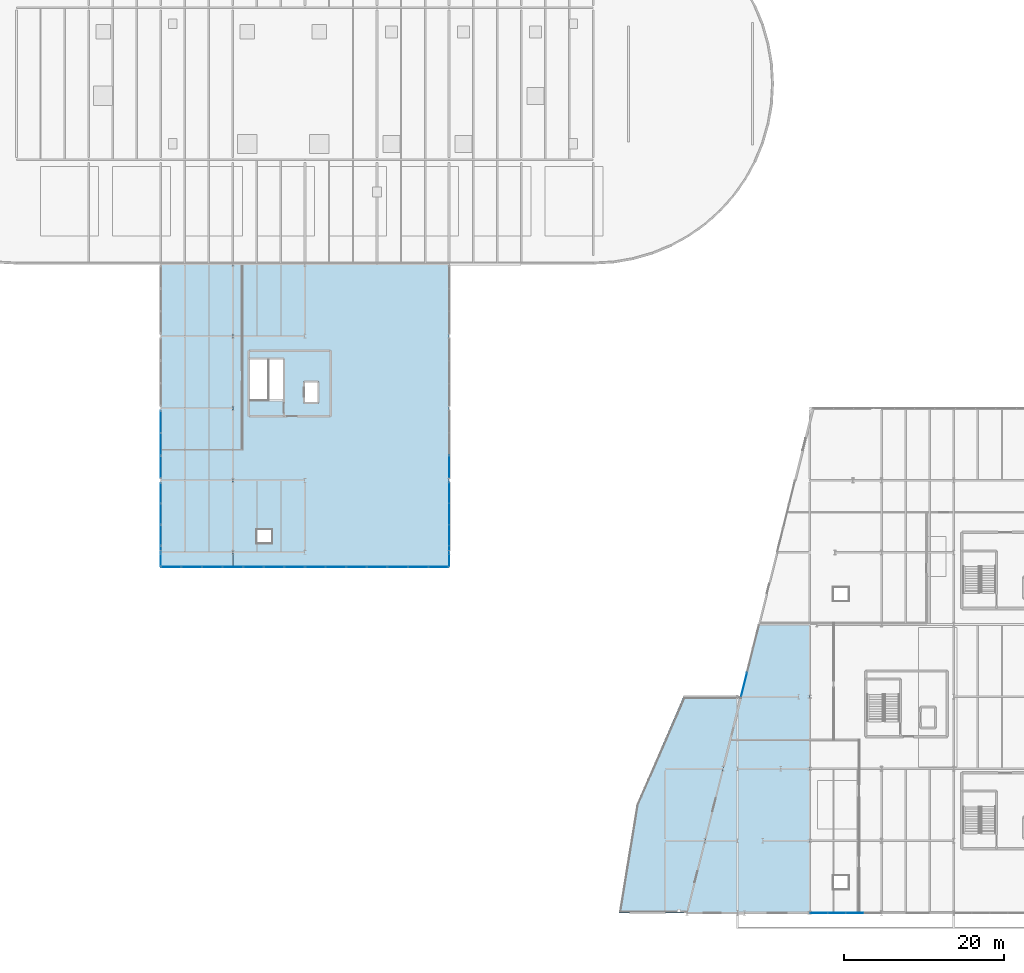
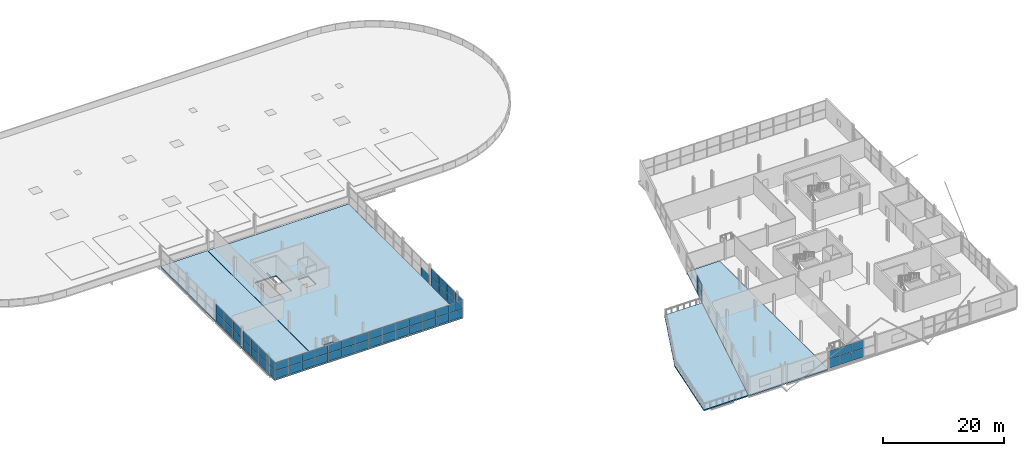
# One storey, part 48 of 59: 59 plates, 4 slabs, 8 elements without a shape of their own.
"""IFC4 building model written with IfcOpenShell, lengths in metres."""

from ifc_helpers import new_model, si_unit, direction, frame, origin, origin_2d, place, context, subcontext, project, spatial, polyline, rectangle, outline, extrude, material, layer, layer_set, type_object, element, aggregate, save


model = new_model("IFC4")

# Units and contexts
model_context = context("Model", 3, precision=1e-05, world=origin(), true_north=direction((0.0, 1.0)))
body_context = subcontext(model_context, "Body", "Model", "MODEL_VIEW")
ifc_project = project(units=[si_unit("LENGTHUNIT", "METRE"), si_unit("AREAUNIT", "SQUARE_METRE"), si_unit("VOLUMEUNIT", "CUBIC_METRE"), si_unit("PLANEANGLEUNIT", "RADIAN"), si_unit("MASSUNIT", "GRAM", prefix="KILO")], contexts=[model_context])

# Site, building, storey
site_placement = place(None, origin())
site = spatial("IfcSite", under=ifc_project, at=site_placement, CompositionType="ELEMENT")
building_placement = place(site_placement, origin())
building = spatial("IfcBuilding", under=site, at=building_placement, Name="Deido Ridge Mobility Hub", CompositionType="ELEMENT")
storey_placement = place(building_placement, frame((0.0, 0.0, 21.0)))
storey = spatial("IfcBuildingStorey", under=building, at=storey_placement, Name="L05", CompositionType="ELEMENT", Elevation=21.0)

# Curtain wall, plates
ifc_material_1 = material(Name="Anodised aluminium EN AW-6063 T6", Category="aluminium")
ifc_layer_1 = layer(ifc_material_1, 0.16796875, Name="Anodised aluminium EN AW-6063 T6")
ifc_layer_set_1 = layer_set([ifc_layer_1], Name="Anodised aluminium EN AW-6063 T6")
curtain_wall_type_1 = type_object("IfcCurtainWallType", Name="CW-GS-4", PredefinedType="USERDEFINED", material=ifc_layer_set_1)
curtain_wall_1_placement = place(storey_placement, origin())
curtain_wall_1 = element("IfcCurtainWall", 1, at=curtain_wall_1_placement, inside=storey, type_object=curtain_wall_type_1, Name="Unitised curtain wall GS4", ObjectType="GLAZED SCREEN", PredefinedType="USERDEFINED")
ifc_material_2 = material(Name="Laminated solar-control low-E glass", Category="glass")
ifc_layer_2 = layer(ifc_material_2, 0.02587890625, Name="Laminated solar-control low-E glass")
ifc_layer_set_2 = layer_set([ifc_layer_2], Name="Laminated solar-control low-E glass")
plate_type_1 = type_object("IfcPlateType", Name="PLT-CWP-26", PredefinedType="CURTAIN_PANEL", material=ifc_layer_set_2)
plate_1_placement = place(storey_placement, frame((99.0, 44.53125, 0.050048828125), z_axis=(0.0, 0.0, 1.0), x_axis=(0.0, 1.0, 0.0)))
plate_1 = element("IfcPlate", 2, at=plate_1_placement, type_object=plate_type_1, Name="GS4 panel 1.1", PredefinedType="CURTAIN_PANEL", context=body_context, shape_type="SweptSolid", body=[
    extrude(rectangle(XDim=2.5625, YDim=0.02587890625, at=origin_2d()), origin(), (0.0, 0.0, 1.0), 1.72509765625),
])
plate_2_placement = place(storey_placement, frame((99.0, 44.53125, 1.824951171875), z_axis=(0.0, 0.0, 1.0), x_axis=(0.0, 1.0, 0.0)))
plate_2 = element("IfcPlate", 3, at=plate_2_placement, type_object=plate_type_1, Name="GS4 panel 1.2", PredefinedType="CURTAIN_PANEL", context=body_context, shape_type="SweptSolid", body=[
    extrude(rectangle(XDim=2.5625, YDim=0.02587890625, at=origin_2d()), origin(), (0.0, 0.0, 1.0), 1.72509765625),
])
plate_3_placement = place(storey_placement, frame((99.0, 47.15625, 0.050048828125), z_axis=(0.0, 0.0, 1.0), x_axis=(0.0, 1.0, 0.0)))
plate_3 = element("IfcPlate", 4, at=plate_3_placement, type_object=plate_type_1, Name="GS4 panel 2.1", PredefinedType="CURTAIN_PANEL", context=body_context, shape_type="SweptSolid", body=[
    extrude(rectangle(XDim=2.58740234375, YDim=0.02587890625, at=origin_2d()), origin(), (0.0, 0.0, 1.0), 1.72509765625),
])
plate_4_placement = place(storey_placement, frame((99.0, 47.15625, 1.824951171875), z_axis=(0.0, 0.0, 1.0), x_axis=(0.0, 1.0, 0.0)))
plate_4 = element("IfcPlate", 5, at=plate_4_placement, type_object=plate_type_1, Name="GS4 panel 2.2", PredefinedType="CURTAIN_PANEL", context=body_context, shape_type="SweptSolid", body=[
    extrude(rectangle(XDim=2.58740234375, YDim=0.02587890625, at=origin_2d()), origin(), (0.0, 0.0, 1.0), 1.72509765625),
])
plate_5_placement = place(storey_placement, frame((99.0, 49.793701171875, 0.050048828125), z_axis=(0.0, 0.0, 1.0), x_axis=(0.0, 1.0, 0.0)))
plate_5 = element("IfcPlate", 6, at=plate_5_placement, type_object=plate_type_1, Name="GS4 panel 3.1", PredefinedType="CURTAIN_PANEL", context=body_context, shape_type="SweptSolid", body=[
    extrude(rectangle(XDim=2.58740234375, YDim=0.02587890625, at=origin_2d()), origin(), (0.0, 0.0, 1.0), 1.72509765625),
])
plate_6_placement = place(storey_placement, frame((99.0, 49.793701171875, 1.824951171875), z_axis=(0.0, 0.0, 1.0), x_axis=(0.0, 1.0, 0.0)))
plate_6 = element("IfcPlate", 7, at=plate_6_placement, type_object=plate_type_1, Name="GS4 panel 3.2", PredefinedType="CURTAIN_PANEL", context=body_context, shape_type="SweptSolid", body=[
    extrude(rectangle(XDim=2.58740234375, YDim=0.02587890625, at=origin_2d()), origin(), (0.0, 0.0, 1.0), 1.72509765625),
])
plate_7_placement = place(storey_placement, frame((99.0, 52.418701171875, 0.050048828125), z_axis=(0.0, 0.0, 1.0), x_axis=(0.0, 1.0, 0.0)))
plate_7 = element("IfcPlate", 8, at=plate_7_placement, type_object=plate_type_1, Name="GS4 panel 4.1", PredefinedType="CURTAIN_PANEL", context=body_context, shape_type="SweptSolid", body=[
    extrude(rectangle(XDim=2.5625, YDim=0.02587890625, at=origin_2d()), origin(), (0.0, 0.0, 1.0), 1.72509765625),
])
plate_8_placement = place(storey_placement, frame((99.0, 52.418701171875, 1.824951171875), z_axis=(0.0, 0.0, 1.0), x_axis=(0.0, 1.0, 0.0)))
plate_8 = element("IfcPlate", 9, at=plate_8_placement, type_object=plate_type_1, Name="GS4 panel 4.2", PredefinedType="CURTAIN_PANEL", context=body_context, shape_type="SweptSolid", body=[
    extrude(rectangle(XDim=2.5625, YDim=0.02587890625, at=origin_2d()), origin(), (0.0, 0.0, 1.0), 1.72509765625),
])
aggregate(curtain_wall_1, [plate_1, plate_2, plate_3, plate_4, plate_5, plate_6, plate_7, plate_8])

# Curtain wall, plate
curtain_wall_2_placement = place(storey_placement, origin())
curtain_wall_2 = element("IfcCurtainWall", 10, at=curtain_wall_2_placement, inside=storey, type_object=curtain_wall_type_1, Name="Unitised curtain wall GS4", ObjectType="GLAZED SCREEN", PredefinedType="USERDEFINED")
plate_9_placement = place(storey_placement, frame((99.0, 55.67919921875, 0.050048828125), z_axis=(0.0, 0.0, 1.0), x_axis=(0.0, 1.0, 0.0)))
plate_9 = element("IfcPlate", 11, at=plate_9_placement, type_object=plate_type_1, Name="GS4 panel 1.1", PredefinedType="CURTAIN_PANEL", context=body_context, shape_type="SweptSolid", body=[
    extrude(rectangle(XDim=2.75830078125, YDim=0.02587890625, at=origin_2d()), origin(), (0.0, 0.0, 1.0), 1.72509765625),
])
aggregate(curtain_wall_2, [plate_9])

# Curtain wall, plates
ifc_layer_3 = layer(ifc_material_1, 0.1650390625, Name="Anodised aluminium EN AW-6063 T6")
ifc_layer_set_3 = layer_set([ifc_layer_3], Name="Anodised aluminium EN AW-6063 T6")
curtain_wall_type_2 = type_object("IfcCurtainWallType", Name="CW-UF-1", PredefinedType="USERDEFINED", material=ifc_layer_set_3)
curtain_wall_3_placement = place(storey_placement, origin())
curtain_wall_3 = element("IfcCurtainWall", 12, at=curtain_wall_3_placement, inside=storey, type_object=curtain_wall_type_2, Name="Unitised curtain wall CW1", ObjectType="UNITISED FACADE", PredefinedType="USERDEFINED")
plate_10_placement = place(storey_placement, frame((145.14404296875, 0.0, 0.050048828125), z_axis=(0.0, 0.0, 1.0), x_axis=(1.0, 0.0, 0.0)))
plate_10 = element("IfcPlate", 13, at=plate_10_placement, type_object=plate_type_1, Name="CW1 panel 1.1", PredefinedType="CURTAIN_PANEL", context=body_context, shape_type="SweptSolid", body=[
    extrude(rectangle(XDim=2.1708984375, YDim=0.02587890625, at=origin_2d()), origin(), (0.0, 0.0, 1.0), 1.72509765625),
])
plate_11_placement = place(storey_placement, frame((145.14404296875, 0.0, 1.824951171875), z_axis=(0.0, 0.0, 1.0), x_axis=(1.0, 0.0, 0.0)))
plate_11 = element("IfcPlate", 14, at=plate_11_placement, type_object=plate_type_1, Name="CW1 panel 1.2", PredefinedType="CURTAIN_PANEL", context=body_context, shape_type="SweptSolid", body=[
    extrude(rectangle(XDim=2.1708984375, YDim=0.02587890625, at=origin_2d()), origin(), (0.0, 0.0, 1.0), 1.72509765625),
])
plate_12_placement = place(storey_placement, frame((147.37744140625, 0.0, 0.050048828125), z_axis=(0.0, 0.0, 1.0), x_axis=(1.0, 0.0, 0.0)))
plate_12 = element("IfcPlate", 15, at=plate_12_placement, type_object=plate_type_1, Name="CW1 panel 2.1", PredefinedType="CURTAIN_PANEL", context=body_context, shape_type="SweptSolid", body=[
    extrude(rectangle(XDim=2.19580078125, YDim=0.02587890625, at=origin_2d()), origin(), (0.0, 0.0, 1.0), 1.72509765625),
])
plate_13_placement = place(storey_placement, frame((147.37744140625, 0.0, 1.824951171875), z_axis=(0.0, 0.0, 1.0), x_axis=(1.0, 0.0, 0.0)))
plate_13 = element("IfcPlate", 16, at=plate_13_placement, type_object=plate_type_1, Name="CW1 panel 2.2", PredefinedType="CURTAIN_PANEL", context=body_context, shape_type="SweptSolid", body=[
    extrude(rectangle(XDim=2.19580078125, YDim=0.02587890625, at=origin_2d()), origin(), (0.0, 0.0, 1.0), 1.72509765625),
])
plate_14_placement = place(storey_placement, frame((149.62353515625, 0.0, 0.050048828125), z_axis=(0.0, 0.0, 1.0), x_axis=(1.0, 0.0, 0.0)))
plate_14 = element("IfcPlate", 17, at=plate_14_placement, type_object=plate_type_1, Name="CW1 panel 3.1", PredefinedType="CURTAIN_PANEL", context=body_context, shape_type="SweptSolid", body=[
    extrude(rectangle(XDim=2.19580078125, YDim=0.02587890625, at=origin_2d()), origin(), (0.0, 0.0, 1.0), 1.72509765625),
])
plate_15_placement = place(storey_placement, frame((149.62353515625, 0.0, 1.824951171875), z_axis=(0.0, 0.0, 1.0), x_axis=(1.0, 0.0, 0.0)))
plate_15 = element("IfcPlate", 18, at=plate_15_placement, type_object=plate_type_1, Name="CW1 panel 3.2", PredefinedType="CURTAIN_PANEL", context=body_context, shape_type="SweptSolid", body=[
    extrude(rectangle(XDim=2.19580078125, YDim=0.02587890625, at=origin_2d()), origin(), (0.0, 0.0, 1.0), 1.72509765625),
])
aggregate(curtain_wall_3, [plate_10, plate_11, plate_12, plate_13, plate_14, plate_15])

ifc_layer_4 = layer(ifc_material_1, 0.239990234375, Name="Anodised aluminium EN AW-6063 T6")
ifc_layer_set_4 = layer_set([ifc_layer_4], Name="Anodised aluminium EN AW-6063 T6")
curtain_wall_type_3 = type_object("IfcCurtainWallType", Name="CW-UF-6", PredefinedType="USERDEFINED", material=ifc_layer_set_4)
curtain_wall_4_placement = place(storey_placement, origin())
curtain_wall_4 = element("IfcCurtainWall", 19, at=curtain_wall_4_placement, inside=storey, type_object=curtain_wall_type_3, Name="Unitised curtain wall CW6", ObjectType="UNITISED FACADE", PredefinedType="USERDEFINED")
ifc_layer_5 = layer(ifc_material_2, 0.034912109375, Name="Laminated solar-control low-E glass")
ifc_layer_set_5 = layer_set([ifc_layer_5], Name="Laminated solar-control low-E glass")
plate_type_2 = type_object("IfcPlateType", Name="PLT-CWP-35", PredefinedType="CURTAIN_PANEL", material=ifc_layer_set_5)
plate_16_placement = place(storey_placement, frame((135.829345703125, 28.51708984375, 0.06982421875), z_axis=(0.0, 0.0, 1.0), x_axis=(0.242535625038, 0.970142500145, 0.0)))
plate_16 = element("IfcPlate", 20, at=plate_16_placement, type_object=plate_type_2, Name="CW6 panel 1.1", PredefinedType="CURTAIN_PANEL", context=body_context, shape_type="SweptSolid", body=[
    extrude(rectangle(XDim=2.9873046875, YDim=0.034912109375, at=origin_2d()), origin(), (0.0, 0.0, 1.0), 1.695068359375),
])
plate_17_placement = place(storey_placement, frame((135.829345703125, 28.51708984375, 1.8349609375), z_axis=(0.0, 0.0, 1.0), x_axis=(0.242535625038, 0.970142500145, 0.0)))
plate_17 = element("IfcPlate", 21, at=plate_17_placement, type_object=plate_type_2, Name="CW6 panel 1.2", PredefinedType="CURTAIN_PANEL", context=body_context, shape_type="SweptSolid", body=[
    extrude(rectangle(XDim=2.9873046875, YDim=0.034912109375, at=origin_2d()), origin(), (0.0, 0.0, 1.0), 1.695068359375),
])
aggregate(curtain_wall_4, [plate_16, plate_17])

ifc_layer_6 = layer(ifc_material_1, 0.2548828125, Name="Anodised aluminium EN AW-6063 T6")
ifc_layer_set_6 = layer_set([ifc_layer_6], Name="Anodised aluminium EN AW-6063 T6")
curtain_wall_type_4 = type_object("IfcCurtainWallType", Name="CW-UF-7", PredefinedType="USERDEFINED", material=ifc_layer_set_6)
curtain_wall_5_placement = place(storey_placement, origin())
curtain_wall_5 = element("IfcCurtainWall", 22, at=curtain_wall_5_placement, inside=storey, type_object=curtain_wall_type_4, Name="Unitised curtain wall CW7", ObjectType="UNITISED FACADE", PredefinedType="USERDEFINED")
ifc_layer_7 = layer(ifc_material_2, 0.0390625, Name="Laminated solar-control low-E glass")
ifc_layer_set_7 = layer_set([ifc_layer_7], Name="Laminated solar-control low-E glass")
plate_type_3 = type_object("IfcPlateType", Name="PLT-CWP-39", PredefinedType="CURTAIN_PANEL", material=ifc_layer_set_7)
plate_18_placement = place(storey_placement, frame((64.3056640625, 43.199951171875, 0.080078125), z_axis=(0.0, 0.0, 1.0), x_axis=(1.0, 0.0, 0.0)))
plate_18 = element("IfcPlate", 23, at=plate_18_placement, type_object=plate_type_3, Name="CW7 panel 1.1", PredefinedType="CURTAIN_PANEL", context=body_context, shape_type="SweptSolid", body=[
    extrude(rectangle(XDim=2.451416015625, YDim=0.0390625, at=origin_2d()), origin(), (0.0, 0.0, 1.0), 1.580078125),
])
plate_19_placement = place(storey_placement, frame((64.3056640625, 43.199951171875, 1.739990234375), z_axis=(0.0, 0.0, 1.0), x_axis=(1.0, 0.0, 0.0)))
plate_19 = element("IfcPlate", 24, at=plate_19_placement, type_object=plate_type_3, Name="CW7 panel 1.2", PredefinedType="CURTAIN_PANEL", context=body_context, shape_type="SweptSolid", body=[
    extrude(rectangle(XDim=2.451416015625, YDim=0.0390625, at=origin_2d()), origin(), (0.0, 0.0, 1.0), 1.580078125),
])
plate_20_placement = place(storey_placement, frame((66.857177734375, 43.199951171875, 0.080078125), z_axis=(0.0, 0.0, 1.0), x_axis=(1.0, 0.0, 0.0)))
plate_20 = element("IfcPlate", 25, at=plate_20_placement, type_object=plate_type_3, Name="CW7 panel 2.1", PredefinedType="CURTAIN_PANEL", context=body_context, shape_type="SweptSolid", body=[
    extrude(rectangle(XDim=2.491455078125, YDim=0.0390625, at=origin_2d()), origin(), (0.0, 0.0, 1.0), 1.580078125),
])
plate_21_placement = place(storey_placement, frame((66.857177734375, 43.199951171875, 1.739990234375), z_axis=(0.0, 0.0, 1.0), x_axis=(1.0, 0.0, 0.0)))
plate_21 = element("IfcPlate", 26, at=plate_21_placement, type_object=plate_type_3, Name="CW7 panel 2.2", PredefinedType="CURTAIN_PANEL", context=body_context, shape_type="SweptSolid", body=[
    extrude(rectangle(XDim=2.491455078125, YDim=0.0390625, at=origin_2d()), origin(), (0.0, 0.0, 1.0), 1.580078125),
])
plate_22_placement = place(storey_placement, frame((69.428466796875, 43.199951171875, 0.080078125), z_axis=(0.0, 0.0, 1.0), x_axis=(1.0, 0.0, 0.0)))
plate_22 = element("IfcPlate", 27, at=plate_22_placement, type_object=plate_type_3, Name="CW7 panel 3.1", PredefinedType="CURTAIN_PANEL", context=body_context, shape_type="SweptSolid", body=[
    extrude(rectangle(XDim=2.491455078125, YDim=0.0390625, at=origin_2d()), origin(), (0.0, 0.0, 1.0), 1.580078125),
])
plate_23_placement = place(storey_placement, frame((69.428466796875, 43.199951171875, 1.739990234375), z_axis=(0.0, 0.0, 1.0), x_axis=(1.0, 0.0, 0.0)))
plate_23 = element("IfcPlate", 28, at=plate_23_placement, type_object=plate_type_3, Name="CW7 panel 3.2", PredefinedType="CURTAIN_PANEL", context=body_context, shape_type="SweptSolid", body=[
    extrude(rectangle(XDim=2.491455078125, YDim=0.0390625, at=origin_2d()), origin(), (0.0, 0.0, 1.0), 1.580078125),
])
plate_24_placement = place(storey_placement, frame((72.0, 43.199951171875, 0.080078125), z_axis=(0.0, 0.0, 1.0), x_axis=(1.0, 0.0, 0.0)))
plate_24 = element("IfcPlate", 29, at=plate_24_placement, type_object=plate_type_3, Name="CW7 panel 4.1", PredefinedType="CURTAIN_PANEL", context=body_context, shape_type="SweptSolid", body=[
    extrude(rectangle(XDim=2.491455078125, YDim=0.0390625, at=origin_2d()), origin(), (0.0, 0.0, 1.0), 1.580078125),
])
plate_25_placement = place(storey_placement, frame((72.0, 43.199951171875, 1.739990234375), z_axis=(0.0, 0.0, 1.0), x_axis=(1.0, 0.0, 0.0)))
plate_25 = element("IfcPlate", 30, at=plate_25_placement, type_object=plate_type_3, Name="CW7 panel 4.2", PredefinedType="CURTAIN_PANEL", context=body_context, shape_type="SweptSolid", body=[
    extrude(rectangle(XDim=2.491455078125, YDim=0.0390625, at=origin_2d()), origin(), (0.0, 0.0, 1.0), 1.580078125),
])
plate_26_placement = place(storey_placement, frame((74.571533203125, 43.199951171875, 0.080078125), z_axis=(0.0, 0.0, 1.0), x_axis=(1.0, 0.0, 0.0)))
plate_26 = element("IfcPlate", 31, at=plate_26_placement, type_object=plate_type_3, Name="CW7 panel 5.1", PredefinedType="CURTAIN_PANEL", context=body_context, shape_type="SweptSolid", body=[
    extrude(rectangle(XDim=2.491455078125, YDim=0.0390625, at=origin_2d()), origin(), (0.0, 0.0, 1.0), 1.580078125),
])
plate_27_placement = place(storey_placement, frame((74.571533203125, 43.199951171875, 1.739990234375), z_axis=(0.0, 0.0, 1.0), x_axis=(1.0, 0.0, 0.0)))
plate_27 = element("IfcPlate", 32, at=plate_27_placement, type_object=plate_type_3, Name="CW7 panel 5.2", PredefinedType="CURTAIN_PANEL", context=body_context, shape_type="SweptSolid", body=[
    extrude(rectangle(XDim=2.491455078125, YDim=0.0390625, at=origin_2d()), origin(), (0.0, 0.0, 1.0), 1.580078125),
])
plate_28_placement = place(storey_placement, frame((77.142822265625, 43.199951171875, 0.080078125), z_axis=(0.0, 0.0, 1.0), x_axis=(1.0, 0.0, 0.0)))
plate_28 = element("IfcPlate", 33, at=plate_28_placement, type_object=plate_type_3, Name="CW7 panel 6.1", PredefinedType="CURTAIN_PANEL", context=body_context, shape_type="SweptSolid", body=[
    extrude(rectangle(XDim=2.491455078125, YDim=0.0390625, at=origin_2d()), origin(), (0.0, 0.0, 1.0), 1.580078125),
])
plate_29_placement = place(storey_placement, frame((77.142822265625, 43.199951171875, 1.739990234375), z_axis=(0.0, 0.0, 1.0), x_axis=(1.0, 0.0, 0.0)))
plate_29 = element("IfcPlate", 34, at=plate_29_placement, type_object=plate_type_3, Name="CW7 panel 6.2", PredefinedType="CURTAIN_PANEL", context=body_context, shape_type="SweptSolid", body=[
    extrude(rectangle(XDim=2.491455078125, YDim=0.0390625, at=origin_2d()), origin(), (0.0, 0.0, 1.0), 1.580078125),
])
plate_30_placement = place(storey_placement, frame((79.6943359375, 43.199951171875, 0.080078125), z_axis=(0.0, 0.0, 1.0), x_axis=(1.0, 0.0, 0.0)))
plate_30 = element("IfcPlate", 35, at=plate_30_placement, type_object=plate_type_3, Name="CW7 panel 7.1", PredefinedType="CURTAIN_PANEL", context=body_context, shape_type="SweptSolid", body=[
    extrude(rectangle(XDim=2.451416015625, YDim=0.0390625, at=origin_2d()), origin(), (0.0, 0.0, 1.0), 1.580078125),
])
plate_31_placement = place(storey_placement, frame((79.6943359375, 43.199951171875, 1.739990234375), z_axis=(0.0, 0.0, 1.0), x_axis=(1.0, 0.0, 0.0)))
plate_31 = element("IfcPlate", 36, at=plate_31_placement, type_object=plate_type_3, Name="CW7 panel 7.2", PredefinedType="CURTAIN_PANEL", context=body_context, shape_type="SweptSolid", body=[
    extrude(rectangle(XDim=2.451416015625, YDim=0.0390625, at=origin_2d()), origin(), (0.0, 0.0, 1.0), 1.580078125),
])
aggregate(curtain_wall_5, [plate_18, plate_19, plate_20, plate_21, plate_22, plate_23, plate_24, plate_25, plate_26, plate_27, plate_28, plate_29, plate_30, plate_31])

curtain_wall_6_placement = place(storey_placement, origin())
curtain_wall_6 = element("IfcCurtainWall", 37, at=curtain_wall_6_placement, inside=storey, type_object=curtain_wall_type_4, Name="Unitised curtain wall CW7", ObjectType="UNITISED FACADE", PredefinedType="USERDEFINED")
plate_32_placement = place(storey_placement, frame((82.3056640625, 43.199951171875, 0.080078125), z_axis=(0.0, 0.0, 1.0), x_axis=(1.0, 0.0, 0.0)))
plate_32 = element("IfcPlate", 38, at=plate_32_placement, type_object=plate_type_3, Name="CW7 panel 1.1", PredefinedType="CURTAIN_PANEL", context=body_context, shape_type="SweptSolid", body=[
    extrude(rectangle(XDim=2.451416015625, YDim=0.0390625, at=origin_2d()), origin(), (0.0, 0.0, 1.0), 1.580078125),
])
plate_33_placement = place(storey_placement, frame((82.3056640625, 43.199951171875, 1.739990234375), z_axis=(0.0, 0.0, 1.0), x_axis=(1.0, 0.0, 0.0)))
plate_33 = element("IfcPlate", 39, at=plate_33_placement, type_object=plate_type_3, Name="CW7 panel 1.2", PredefinedType="CURTAIN_PANEL", context=body_context, shape_type="SweptSolid", body=[
    extrude(rectangle(XDim=2.451416015625, YDim=0.0390625, at=origin_2d()), origin(), (0.0, 0.0, 1.0), 1.580078125),
])
plate_34_placement = place(storey_placement, frame((84.857177734375, 43.199951171875, 0.080078125), z_axis=(0.0, 0.0, 1.0), x_axis=(1.0, 0.0, 0.0)))
plate_34 = element("IfcPlate", 40, at=plate_34_placement, type_object=plate_type_3, Name="CW7 panel 2.1", PredefinedType="CURTAIN_PANEL", context=body_context, shape_type="SweptSolid", body=[
    extrude(rectangle(XDim=2.491455078125, YDim=0.0390625, at=origin_2d()), origin(), (0.0, 0.0, 1.0), 1.580078125),
])
plate_35_placement = place(storey_placement, frame((84.857177734375, 43.199951171875, 1.739990234375), z_axis=(0.0, 0.0, 1.0), x_axis=(1.0, 0.0, 0.0)))
plate_35 = element("IfcPlate", 41, at=plate_35_placement, type_object=plate_type_3, Name="CW7 panel 2.2", PredefinedType="CURTAIN_PANEL", context=body_context, shape_type="SweptSolid", body=[
    extrude(rectangle(XDim=2.491455078125, YDim=0.0390625, at=origin_2d()), origin(), (0.0, 0.0, 1.0), 1.580078125),
])
plate_36_placement = place(storey_placement, frame((87.428466796875, 43.199951171875, 0.080078125), z_axis=(0.0, 0.0, 1.0), x_axis=(1.0, 0.0, 0.0)))
plate_36 = element("IfcPlate", 42, at=plate_36_placement, type_object=plate_type_3, Name="CW7 panel 3.1", PredefinedType="CURTAIN_PANEL", context=body_context, shape_type="SweptSolid", body=[
    extrude(rectangle(XDim=2.491455078125, YDim=0.0390625, at=origin_2d()), origin(), (0.0, 0.0, 1.0), 1.580078125),
])
plate_37_placement = place(storey_placement, frame((87.428466796875, 43.199951171875, 1.739990234375), z_axis=(0.0, 0.0, 1.0), x_axis=(1.0, 0.0, 0.0)))
plate_37 = element("IfcPlate", 43, at=plate_37_placement, type_object=plate_type_3, Name="CW7 panel 3.2", PredefinedType="CURTAIN_PANEL", context=body_context, shape_type="SweptSolid", body=[
    extrude(rectangle(XDim=2.491455078125, YDim=0.0390625, at=origin_2d()), origin(), (0.0, 0.0, 1.0), 1.580078125),
])
plate_38_placement = place(storey_placement, frame((90.0, 43.199951171875, 0.080078125), z_axis=(0.0, 0.0, 1.0), x_axis=(1.0, 0.0, 0.0)))
plate_38 = element("IfcPlate", 44, at=plate_38_placement, type_object=plate_type_3, Name="CW7 panel 4.1", PredefinedType="CURTAIN_PANEL", context=body_context, shape_type="SweptSolid", body=[
    extrude(rectangle(XDim=2.491455078125, YDim=0.0390625, at=origin_2d()), origin(), (0.0, 0.0, 1.0), 1.580078125),
])
plate_39_placement = place(storey_placement, frame((90.0, 43.199951171875, 1.739990234375), z_axis=(0.0, 0.0, 1.0), x_axis=(1.0, 0.0, 0.0)))
plate_39 = element("IfcPlate", 45, at=plate_39_placement, type_object=plate_type_3, Name="CW7 panel 4.2", PredefinedType="CURTAIN_PANEL", context=body_context, shape_type="SweptSolid", body=[
    extrude(rectangle(XDim=2.491455078125, YDim=0.0390625, at=origin_2d()), origin(), (0.0, 0.0, 1.0), 1.580078125),
])
plate_40_placement = place(storey_placement, frame((92.571533203125, 43.199951171875, 0.080078125), z_axis=(0.0, 0.0, 1.0), x_axis=(1.0, 0.0, 0.0)))
plate_40 = element("IfcPlate", 46, at=plate_40_placement, type_object=plate_type_3, Name="CW7 panel 5.1", PredefinedType="CURTAIN_PANEL", context=body_context, shape_type="SweptSolid", body=[
    extrude(rectangle(XDim=2.491455078125, YDim=0.0390625, at=origin_2d()), origin(), (0.0, 0.0, 1.0), 1.580078125),
])
plate_41_placement = place(storey_placement, frame((92.571533203125, 43.199951171875, 1.739990234375), z_axis=(0.0, 0.0, 1.0), x_axis=(1.0, 0.0, 0.0)))
plate_41 = element("IfcPlate", 47, at=plate_41_placement, type_object=plate_type_3, Name="CW7 panel 5.2", PredefinedType="CURTAIN_PANEL", context=body_context, shape_type="SweptSolid", body=[
    extrude(rectangle(XDim=2.491455078125, YDim=0.0390625, at=origin_2d()), origin(), (0.0, 0.0, 1.0), 1.580078125),
])
plate_42_placement = place(storey_placement, frame((95.142822265625, 43.199951171875, 0.080078125), z_axis=(0.0, 0.0, 1.0), x_axis=(1.0, 0.0, 0.0)))
plate_42 = element("IfcPlate", 48, at=plate_42_placement, type_object=plate_type_3, Name="CW7 panel 6.1", PredefinedType="CURTAIN_PANEL", context=body_context, shape_type="SweptSolid", body=[
    extrude(rectangle(XDim=2.491455078125, YDim=0.0390625, at=origin_2d()), origin(), (0.0, 0.0, 1.0), 1.580078125),
])
plate_43_placement = place(storey_placement, frame((95.142822265625, 43.199951171875, 1.739990234375), z_axis=(0.0, 0.0, 1.0), x_axis=(1.0, 0.0, 0.0)))
plate_43 = element("IfcPlate", 49, at=plate_43_placement, type_object=plate_type_3, Name="CW7 panel 6.2", PredefinedType="CURTAIN_PANEL", context=body_context, shape_type="SweptSolid", body=[
    extrude(rectangle(XDim=2.491455078125, YDim=0.0390625, at=origin_2d()), origin(), (0.0, 0.0, 1.0), 1.580078125),
])
plate_44_placement = place(storey_placement, frame((97.6943359375, 43.199951171875, 0.080078125), z_axis=(0.0, 0.0, 1.0), x_axis=(1.0, 0.0, 0.0)))
plate_44 = element("IfcPlate", 50, at=plate_44_placement, type_object=plate_type_3, Name="CW7 panel 7.1", PredefinedType="CURTAIN_PANEL", context=body_context, shape_type="SweptSolid", body=[
    extrude(rectangle(XDim=2.451416015625, YDim=0.0390625, at=origin_2d()), origin(), (0.0, 0.0, 1.0), 1.580078125),
])
plate_45_placement = place(storey_placement, frame((97.6943359375, 43.199951171875, 1.739990234375), z_axis=(0.0, 0.0, 1.0), x_axis=(1.0, 0.0, 0.0)))
plate_45 = element("IfcPlate", 51, at=plate_45_placement, type_object=plate_type_3, Name="CW7 panel 7.2", PredefinedType="CURTAIN_PANEL", context=body_context, shape_type="SweptSolid", body=[
    extrude(rectangle(XDim=2.451416015625, YDim=0.0390625, at=origin_2d()), origin(), (0.0, 0.0, 1.0), 1.580078125),
])
aggregate(curtain_wall_6, [plate_32, plate_33, plate_34, plate_35, plate_36, plate_37, plate_38, plate_39, plate_40, plate_41, plate_42, plate_43, plate_44, plate_45])

ifc_layer_8 = layer(ifc_material_1, 0.156005859375, Name="Anodised aluminium EN AW-6063 T6")
ifc_layer_set_8 = layer_set([ifc_layer_8], Name="Anodised aluminium EN AW-6063 T6")
curtain_wall_type_5 = type_object("IfcCurtainWallType", Name="CW-GS-3", PredefinedType="USERDEFINED", material=ifc_layer_set_8)
curtain_wall_7_placement = place(storey_placement, origin())
curtain_wall_7 = element("IfcCurtainWall", 52, at=curtain_wall_7_placement, inside=storey, type_object=curtain_wall_type_5, Name="Unitised curtain wall GS3", ObjectType="GLAZED SCREEN", PredefinedType="USERDEFINED")
ifc_layer_9 = layer(ifc_material_2, 0.041015625, Name="Laminated solar-control low-E glass")
ifc_layer_set_9 = layer_set([ifc_layer_9], Name="Laminated solar-control low-E glass")
plate_type_4 = type_object("IfcPlateType", Name="PLT-CWP-41", PredefinedType="CURTAIN_PANEL", material=ifc_layer_set_9)
plate_46_placement = place(storey_placement, frame((63.0, 44.5400390625, 0.0849609375), z_axis=(0.0, 0.0, 1.0), x_axis=(0.0, 1.0, 0.0)))
plate_46 = element("IfcPlate", 53, at=plate_46_placement, type_object=plate_type_4, Name="GS3 panel 1.1", PredefinedType="CURTAIN_PANEL", context=body_context, shape_type="SweptSolid", body=[
    extrude(rectangle(XDim=2.510009765625, YDim=0.041015625, at=origin_2d()), origin(), (0.0, 0.0, 1.0), 1.672607421875),
])
plate_47_placement = place(storey_placement, frame((63.0, 44.5400390625, 1.84228515625), z_axis=(0.0, 0.0, 1.0), x_axis=(0.0, 1.0, 0.0)))
plate_47 = element("IfcPlate", 54, at=plate_47_placement, type_object=plate_type_4, Name="GS3 panel 1.2", PredefinedType="CURTAIN_PANEL", context=body_context, shape_type="SweptSolid", body=[
    extrude(rectangle(XDim=2.510009765625, YDim=0.041015625, at=origin_2d()), origin(), (0.0, 0.0, 1.0), 1.672607421875),
])
plate_48_placement = place(storey_placement, frame((63.0, 47.15625, 0.0849609375), z_axis=(0.0, 0.0, 1.0), x_axis=(0.0, 1.0, 0.0)))
plate_48 = element("IfcPlate", 55, at=plate_48_placement, type_object=plate_type_4, Name="GS3 panel 2.1", PredefinedType="CURTAIN_PANEL", context=body_context, shape_type="SweptSolid", body=[
    extrude(rectangle(XDim=2.552490234375, YDim=0.041015625, at=origin_2d()), origin(), (0.0, 0.0, 1.0), 1.672607421875),
])
plate_49_placement = place(storey_placement, frame((63.0, 47.15625, 1.84228515625), z_axis=(0.0, 0.0, 1.0), x_axis=(0.0, 1.0, 0.0)))
plate_49 = element("IfcPlate", 56, at=plate_49_placement, type_object=plate_type_4, Name="GS3 panel 2.2", PredefinedType="CURTAIN_PANEL", context=body_context, shape_type="SweptSolid", body=[
    extrude(rectangle(XDim=2.552490234375, YDim=0.041015625, at=origin_2d()), origin(), (0.0, 0.0, 1.0), 1.672607421875),
])
plate_50_placement = place(storey_placement, frame((63.0, 49.793701171875, 0.0849609375), z_axis=(0.0, 0.0, 1.0), x_axis=(0.0, 1.0, 0.0)))
plate_50 = element("IfcPlate", 57, at=plate_50_placement, type_object=plate_type_4, Name="GS3 panel 3.1", PredefinedType="CURTAIN_PANEL", context=body_context, shape_type="SweptSolid", body=[
    extrude(rectangle(XDim=2.552490234375, YDim=0.041015625, at=origin_2d()), origin(), (0.0, 0.0, 1.0), 1.672607421875),
])
plate_51_placement = place(storey_placement, frame((63.0, 49.793701171875, 1.84228515625), z_axis=(0.0, 0.0, 1.0), x_axis=(0.0, 1.0, 0.0)))
plate_51 = element("IfcPlate", 58, at=plate_51_placement, type_object=plate_type_4, Name="GS3 panel 3.2", PredefinedType="CURTAIN_PANEL", context=body_context, shape_type="SweptSolid", body=[
    extrude(rectangle(XDim=2.552490234375, YDim=0.041015625, at=origin_2d()), origin(), (0.0, 0.0, 1.0), 1.672607421875),
])
plate_52_placement = place(storey_placement, frame((63.0, 52.409912109375, 0.0849609375), z_axis=(0.0, 0.0, 1.0), x_axis=(0.0, 1.0, 0.0)))
plate_52 = element("IfcPlate", 59, at=plate_52_placement, type_object=plate_type_4, Name="GS3 panel 4.1", PredefinedType="CURTAIN_PANEL", context=body_context, shape_type="SweptSolid", body=[
    extrude(rectangle(XDim=2.510009765625, YDim=0.041015625, at=origin_2d()), origin(), (0.0, 0.0, 1.0), 1.672607421875),
])
plate_53_placement = place(storey_placement, frame((63.0, 52.409912109375, 1.84228515625), z_axis=(0.0, 0.0, 1.0), x_axis=(0.0, 1.0, 0.0)))
plate_53 = element("IfcPlate", 60, at=plate_53_placement, type_object=plate_type_4, Name="GS3 panel 4.2", PredefinedType="CURTAIN_PANEL", context=body_context, shape_type="SweptSolid", body=[
    extrude(rectangle(XDim=2.510009765625, YDim=0.041015625, at=origin_2d()), origin(), (0.0, 0.0, 1.0), 1.672607421875),
])
aggregate(curtain_wall_7, [plate_46, plate_47, plate_48, plate_49, plate_50, plate_51, plate_52, plate_53])

curtain_wall_8_placement = place(storey_placement, origin())
curtain_wall_8 = element("IfcCurtainWall", 61, at=curtain_wall_8_placement, inside=storey, type_object=curtain_wall_type_5, Name="Unitised curtain wall GS3", ObjectType="GLAZED SCREEN", PredefinedType="USERDEFINED")
plate_54_placement = place(storey_placement, frame((63.0, 55.68798828125, 0.0849609375), z_axis=(0.0, 0.0, 1.0), x_axis=(0.0, 1.0, 0.0)))
plate_54 = element("IfcPlate", 62, at=plate_54_placement, type_object=plate_type_4, Name="GS3 panel 1.1", PredefinedType="CURTAIN_PANEL", context=body_context, shape_type="SweptSolid", body=[
    extrude(rectangle(XDim=2.705810546875, YDim=0.041015625, at=origin_2d()), origin(), (0.0, 0.0, 1.0), 1.672607421875),
])
plate_55_placement = place(storey_placement, frame((63.0, 55.68798828125, 1.84228515625), z_axis=(0.0, 0.0, 1.0), x_axis=(0.0, 1.0, 0.0)))
plate_55 = element("IfcPlate", 63, at=plate_55_placement, type_object=plate_type_4, Name="GS3 panel 1.2", PredefinedType="CURTAIN_PANEL", context=body_context, shape_type="SweptSolid", body=[
    extrude(rectangle(XDim=2.705810546875, YDim=0.041015625, at=origin_2d()), origin(), (0.0, 0.0, 1.0), 1.672607421875),
])
plate_56_placement = place(storey_placement, frame((63.0, 58.5, 0.0849609375), z_axis=(0.0, 0.0, 1.0), x_axis=(0.0, 1.0, 0.0)))
plate_56 = element("IfcPlate", 64, at=plate_56_placement, type_object=plate_type_4, Name="GS3 panel 2.1", PredefinedType="CURTAIN_PANEL", context=body_context, shape_type="SweptSolid", body=[
    extrude(rectangle(XDim=2.748291015625, YDim=0.041015625, at=origin_2d()), origin(), (0.0, 0.0, 1.0), 1.672607421875),
])
plate_57_placement = place(storey_placement, frame((63.0, 58.5, 1.84228515625), z_axis=(0.0, 0.0, 1.0), x_axis=(0.0, 1.0, 0.0)))
plate_57 = element("IfcPlate", 65, at=plate_57_placement, type_object=plate_type_4, Name="GS3 panel 2.2", PredefinedType="CURTAIN_PANEL", context=body_context, shape_type="SweptSolid", body=[
    extrude(rectangle(XDim=2.748291015625, YDim=0.041015625, at=origin_2d()), origin(), (0.0, 0.0, 1.0), 1.672607421875),
])
plate_58_placement = place(storey_placement, frame((63.0, 61.31201171875, 0.0849609375), z_axis=(0.0, 0.0, 1.0), x_axis=(0.0, 1.0, 0.0)))
plate_58 = element("IfcPlate", 66, at=plate_58_placement, type_object=plate_type_4, Name="GS3 panel 3.1", PredefinedType="CURTAIN_PANEL", context=body_context, shape_type="SweptSolid", body=[
    extrude(rectangle(XDim=2.705810546875, YDim=0.041015625, at=origin_2d()), origin(), (0.0, 0.0, 1.0), 1.672607421875),
])
plate_59_placement = place(storey_placement, frame((63.0, 61.31201171875, 1.84228515625), z_axis=(0.0, 0.0, 1.0), x_axis=(0.0, 1.0, 0.0)))
plate_59 = element("IfcPlate", 67, at=plate_59_placement, type_object=plate_type_4, Name="GS3 panel 3.2", PredefinedType="CURTAIN_PANEL", context=body_context, shape_type="SweptSolid", body=[
    extrude(rectangle(XDim=2.705810546875, YDim=0.041015625, at=origin_2d()), origin(), (0.0, 0.0, 1.0), 1.672607421875),
])
aggregate(curtain_wall_8, [plate_54, plate_55, plate_56, plate_57, plate_58, plate_59])

# Slabs
ifc_material_3 = material(Name="Concrete C35/45", Category="concrete")
ifc_layer_10 = layer(ifc_material_3, 0.239990234375, Name="Concrete C35/45")
ifc_layer_set_10 = layer_set([ifc_layer_10], Name="Concrete C35/45")
slab_type_1 = type_object("IfcSlabType", Name="SLB-EXT-240", PredefinedType="FLOOR", material=ifc_layer_set_10)
slab_1_placement = place(storey_placement, frame((0.0, 0.0, -0.239990234375)))
element("IfcSlab", 68, at=slab_1_placement, inside=storey, type_object=slab_type_1, Name="L05 West Commuter Viewing Terrace", PredefinedType="FLOOR", context=body_context, shape_type="SweptSolid", body=[
    extrude(outline(polyline([(120.199951171875, 0.0), (128.699951171875, 0.0), (135.449951171875, 27.0), (128.25, 27.0), (122.39990234375, 13.5), (120.199951171875, 0.0)])), origin(), (0.0, 0.0, 1.0), 0.239990234375),
])
ifc_layer_11 = layer(ifc_material_3, 0.2451171875, Name="Concrete C35/45")
ifc_layer_set_11 = layer_set([ifc_layer_11], Name="Concrete C35/45")
slab_type_2 = type_object("IfcSlabType", Name="SLB-FLR-245", PredefinedType="FLOOR", material=ifc_layer_set_11)
slab_2_placement = place(storey_placement, frame((0.0, 0.0, -0.2451171875)))
element("IfcSlab", 69, at=slab_2_placement, inside=storey, type_object=slab_type_2, Name="L05 V3 structural deck 62", PredefinedType="FLOOR", context=body_context, shape_type="SweptSolid", body=[
    extrude(outline(polyline([(63.0, 81.0), (71.97509765625, 81.0), (71.97509765625, 43.199951171875), (63.0, 43.199951171875), (63.0, 81.0)])), origin(), (0.0, 0.0, 1.0), 0.2451171875),
])
slab_3_placement = place(storey_placement, frame((0.0, 0.0, -0.2451171875)))
element("IfcSlab", 70, at=slab_3_placement, inside=storey, type_object=slab_type_2, Name="L05 V3 structural deck 63", PredefinedType="FLOOR", context=body_context, shape_type="SweptSolid", body=[
    extrude(outline(polyline([(99.0, 81.0), (99.0, 43.199951171875), (72.02490234375, 43.199951171875), (72.02490234375, 81.0), (99.0, 81.0)]), holes=[polyline([(76.824951171875, 46.199951171875), (75.02490234375, 46.199951171875), (75.02490234375, 47.800048828125), (76.824951171875, 47.800048828125), (76.824951171875, 46.199951171875)]), polyline([(80.85009765625, 63.64990234375), (80.85009765625, 66.35009765625), (82.75, 66.35009765625), (82.75, 63.64990234375), (80.85009765625, 63.64990234375)]), polyline([(74.139892578125, 64.0), (74.139892578125, 69.10009765625), (78.239990234375, 69.10009765625), (78.239990234375, 64.0), (74.139892578125, 64.0)])]), origin(), (0.0, 0.0, 1.0), 0.2451171875),
])
slab_4_placement = place(storey_placement, frame((0.0, 0.0, -0.2451171875)))
element("IfcSlab", 71, at=slab_4_placement, inside=storey, type_object=slab_type_2, Name="L05 V6 structural deck 64", PredefinedType="FLOOR", context=body_context, shape_type="SweptSolid", body=[
    extrude(outline(polyline([(137.699951171875, 36.0), (143.97509765625, 36.0), (143.97509765625, 0.0), (128.699951171875, 0.0), (137.699951171875, 36.0)])), origin(), (0.0, 0.0, 1.0), 0.2451171875),
])

save(model, "model.ifc")
